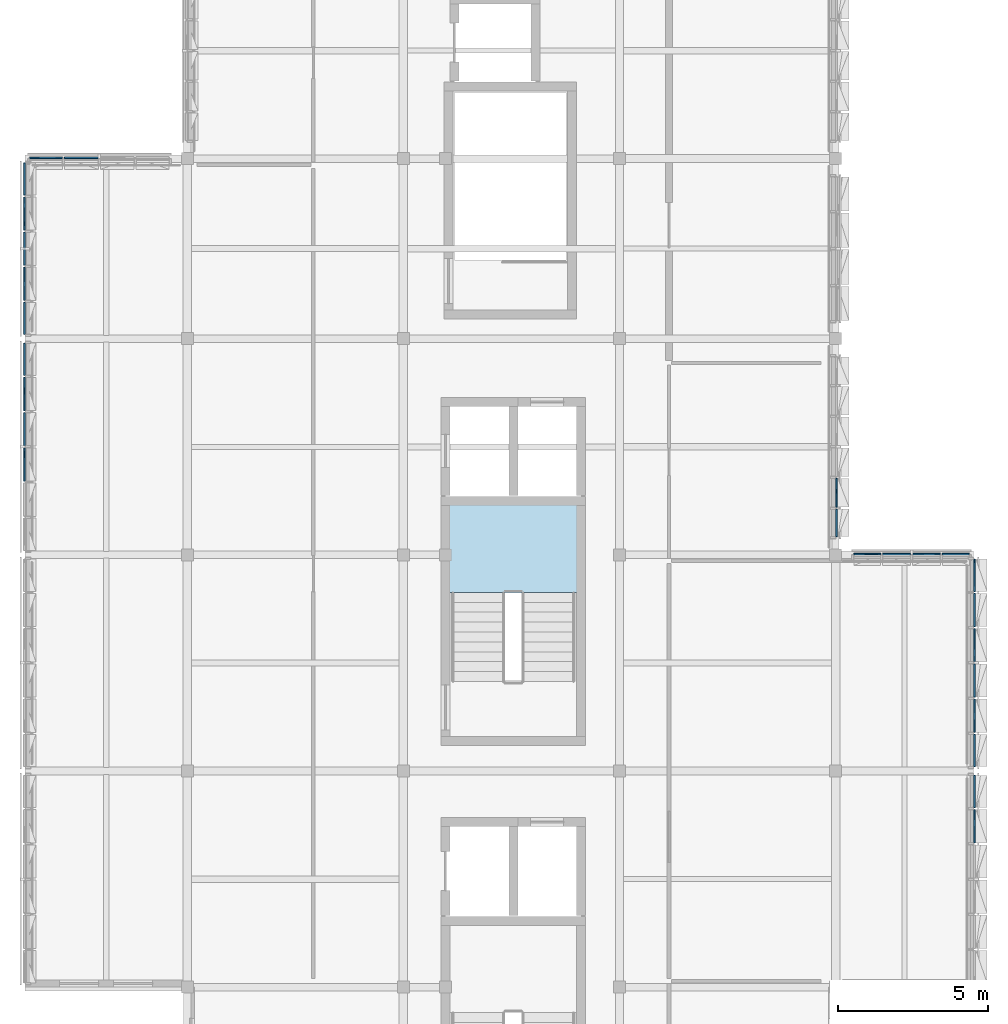
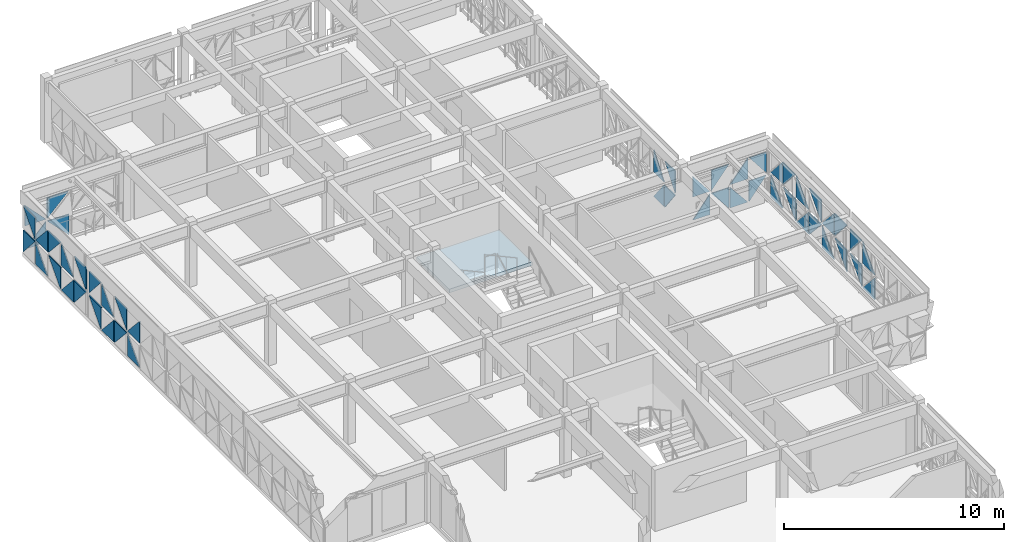
# One storey, part 13 of 25: 50 plates, 1 slab, 8 elements without a shape of their own.
"""IFC4 building model written with IfcOpenShell, lengths in metres."""

import ifcopenshell
import ifcopenshell.guid

model = None  # the IFC model being written
_history = None  # IfcOwnerHistory: only IFC2X3 demands one
_inside = {}  # id of a spatial element -> (the spatial element, [elements in it])
_under = {}  # id of a project, library or spatial element -> (it, [spatial elements below it])
_declared = {}  # id of a project -> (the project, [libraries it declares])
_typed = {}  # id of a type object -> (the type object, [elements of that type])
_made_of = {}  # id of a material, layer set ... -> (it, [elements and type objects made of it])


def new_model(schema):
    """Start an empty IFC model of exactly this schema.

    Asked for "IFC4X3", IfcOpenShell would pick the latest addendum, in which some entities
    have other attributes; the version numbers below select the first issue.
    IFC2X3 requires an IfcOwnerHistory on every rooted entity: one is made here for all.
    """
    global model, _history
    if schema == "IFC4X3":
        model = ifcopenshell.file(schema_version=(4, 3, 0, 0))
    else:
        model = ifcopenshell.file(schema=schema)
    _inside.clear()
    _under.clear()
    _declared.clear()
    _typed.clear()
    _made_of.clear()
    _history = None
    if model.schema == "IFC2X3":
        org = make("IfcOrganization", Name="unknown")
        user = make(
            "IfcPersonAndOrganization",
            ThePerson=make("IfcPerson", FamilyName="unknown"),
            TheOrganization=org,
        )
        app = make(
            "IfcApplication",
            ApplicationDeveloper=org,
            Version="unknown",
            ApplicationFullName="unknown",
            ApplicationIdentifier="unknown",
        )
        _history = make(
            "IfcOwnerHistory",
            OwningUser=user,
            OwningApplication=app,
            ChangeAction="ADDED",
            CreationDate=0,
        )
    return model


def make(cls, **values):
    """One entity of the class cls with the attributes given. An attribute that is None is left unset."""
    return model.create_entity(
        cls, **{name: value for name, value in values.items() if value is not None}
    )


def rooted(cls, **values):
    """An entity with a GlobalId (a new one), such as an element, a storey or a relation."""
    return make(cls, GlobalId=ifcopenshell.guid.new(), OwnerHistory=_history, **values)


def si_unit(unit_type, name, prefix=None):
    """IfcSIUnit, for example si_unit("LENGTHUNIT", "METRE", prefix="MILLI")."""
    return make("IfcSIUnit", UnitType=unit_type, Prefix=prefix, Name=name)


def assignment(units):
    """IfcUnitAssignment: the units of a project."""
    return None if units is None else make("IfcUnitAssignment", Units=units)


def point(xyz):
    """IfcCartesianPoint."""
    return None if xyz is None else make("IfcCartesianPoint", Coordinates=xyz)


def direction(xyz):
    """IfcDirection."""
    return None if xyz is None else make("IfcDirection", DirectionRatios=xyz)


def frame(location, z_axis=None, x_axis=None):
    """IfcAxis2Placement3D, a coordinate frame: its origin and axes. An axis left out is left unset."""
    return make(
        "IfcAxis2Placement3D",
        Location=point(location),
        Axis=direction(z_axis),
        RefDirection=direction(x_axis),
    )


def origin():
    """The frame at (0, 0, 0) with its axes left unset."""
    return frame((0.0, 0.0, 0.0))


def place(relative_to, where):
    """IfcLocalPlacement: puts the frame where relative to a parent placement (None: the world)."""
    return make(
        "IfcLocalPlacement", PlacementRelTo=relative_to, RelativePlacement=where
    )


def context(
    kind, dimensions, precision=None, world=None, true_north=None, identifier=None
):
    """IfcGeometricRepresentationContext, for example the 3D "Model" context."""
    return make(
        "IfcGeometricRepresentationContext",
        ContextIdentifier=identifier,
        ContextType=kind,
        CoordinateSpaceDimension=dimensions,
        Precision=precision,
        WorldCoordinateSystem=world,
        TrueNorth=true_north,
    )


def subcontext(parent, identifier, kind, view, scale=None):
    """IfcGeometricRepresentationSubContext, for example "Body" below "Model"."""
    return make(
        "IfcGeometricRepresentationSubContext",
        ContextIdentifier=identifier,
        ContextType=kind,
        ParentContext=parent,
        TargetScale=scale,
        TargetView=view,
    )


def project(units=None, contexts=None):
    """IfcProject with its units and contexts."""
    return rooted(
        "IfcProject",
        Name="project",
        RepresentationContexts=contexts,
        UnitsInContext=assignment(units),
    )


def spatial(cls, under=None, at=None, **own):
    """A site, building, storey or space (cls), placed at a placement, below another one or the project."""
    s = rooted(cls, ObjectPlacement=at, **own)
    if under is not None:
        _under.setdefault(under.id(), (under, []))[1].append(s)
    return s


def polyline(points):
    """IfcPolyline through the points."""
    return make("IfcPolyline", Points=[point(p) for p in points])


def outline(outer, holes=None, kind="AREA"):
    """IfcArbitraryClosedProfileDef: a profile drawn as a closed curve; with holes, ...WithVoids."""
    if holes is None:
        return make("IfcArbitraryClosedProfileDef", ProfileType=kind, OuterCurve=outer)
    return make(
        "IfcArbitraryProfileDefWithVoids",
        ProfileType=kind,
        OuterCurve=outer,
        InnerCurves=holes,
    )


def extrude(swept, where, along, depth):
    """IfcExtrudedAreaSolid: the profile swept, set in the frame where, extruded along a direction by depth."""
    return make(
        "IfcExtrudedAreaSolid",
        SweptArea=swept,
        Position=where,
        ExtrudedDirection=direction(along),
        Depth=depth,
    )


def shape(context_of_items, identifier, shape_type, items):
    """IfcShapeRepresentation: the items that make up one representation, for example the "Body"."""
    return make(
        "IfcShapeRepresentation",
        ContextOfItems=context_of_items,
        RepresentationIdentifier=identifier,
        RepresentationType=shape_type,
        Items=items,
    )


def material(Name=None, Category=None):
    """IfcMaterial."""
    return make("IfcMaterial", Name=Name, Category=Category)


def layer(
    of_material, thickness, ventilated=None, Name=None, Category=None, Priority=None
):
    """IfcMaterialLayer: one layer of a wall or slab, of a material (None: an air gap)."""
    return make(
        "IfcMaterialLayer",
        Material=of_material,
        LayerThickness=thickness,
        IsVentilated=ventilated,
        Name=Name,
        Category=Category,
        Priority=Priority,
    )


def layer_set(layers, Name=None):
    """IfcMaterialLayerSet."""
    return make("IfcMaterialLayerSet", MaterialLayers=layers, LayerSetName=Name)


def made_of(thing, what):
    """Note that an element or type object is made of a material, layer set ...; save() writes the relation."""
    if what is not None:
        _made_of.setdefault(what.id(), (what, []))[1].append(thing)
    return thing


def type_object(cls, material=None, **own):
    """A type object (cls), such as IfcWallType, which elements share."""
    return made_of(rooted(cls, **own), material)


def element(
    cls,
    number,
    at=None,
    inside=None,
    cuts=None,
    type_object=None,
    material=None,
    context=None,
    identifier="Body",
    shape_type=None,
    held_by="IfcProductDefinitionShape",
    body=None,
    shapes=None,
    **own,
):
    """One element of the class cls, such as IfcWall. Its Tag is "e" and its number.

    at: its placement. inside: the storey or other place that contains it. cuts: it is an
    opening in that element (IfcRelVoidsElement). A single representation is given by context,
    identifier, shape_type and body (its items); several are given by shapes. held_by: the class
    of the entity that holds the representations. save() writes the other relations.
    """
    e = rooted(cls, Tag="e%d" % number, ObjectPlacement=at, **own)
    if body is not None:
        shapes = [shape(context, identifier, shape_type, body)]
    if shapes is not None:
        e.Representation = make(held_by, Representations=shapes)
    if inside is not None:
        _inside.setdefault(inside.id(), (inside, []))[1].append(e)
    if cuts is not None:
        rooted(
            "IfcRelVoidsElement", RelatingBuildingElement=cuts, RelatedOpeningElement=e
        )
    if type_object is not None:
        _typed.setdefault(type_object.id(), (type_object, []))[1].append(e)
    return made_of(e, material)


def aggregate(whole, parts):
    """IfcRelAggregates: a whole, such as a stair, and the parts it consists of."""
    return rooted("IfcRelAggregates", RelatingObject=whole, RelatedObjects=parts)


def save(model, path):
    """Write the relations noted so far, then the file.

    IfcRelAggregates (storeys below a building ...), IfcRelContainedInSpatialStructure (elements
    in a storey), IfcRelDefinesByType, IfcRelAssociatesMaterial and IfcRelDeclares: one each for
    every whole, place, type object, material and project.
    """
    for whole, parts in _under.values():
        aggregate(whole, parts)
    for where, things in _inside.values():
        rooted(
            "IfcRelContainedInSpatialStructure",
            RelatedElements=things,
            RelatingStructure=where,
        )
    for kind, things in _typed.values():
        rooted("IfcRelDefinesByType", RelatedObjects=things, RelatingType=kind)
    for what, things in _made_of.values():
        rooted("IfcRelAssociatesMaterial", RelatedObjects=things, RelatingMaterial=what)
    for by, libraries in _declared.values():
        rooted("IfcRelDeclares", RelatingContext=by, RelatedDefinitions=libraries)
    model.write(path)


model = new_model("IFC4")

# Units and contexts
model_context = context("Model", 3, precision=1e-05, world=origin(), true_north=direction((0.0, 1.0)))
body_context = subcontext(model_context, "Body", "Model", "MODEL_VIEW")
ifc_project = project(units=[si_unit("LENGTHUNIT", "METRE"), si_unit("AREAUNIT", "SQUARE_METRE"), si_unit("VOLUMEUNIT", "CUBIC_METRE"), si_unit("PLANEANGLEUNIT", "RADIAN"), si_unit("MASSUNIT", "GRAM", prefix="KILO")], contexts=[model_context])

# Site, building, storey
site_placement = place(None, origin())
site = spatial("IfcSite", under=ifc_project, at=site_placement, CompositionType="ELEMENT")
building_placement = place(site_placement, origin())
building = spatial("IfcBuilding", under=site, at=building_placement, Name="Alvorim Cloister Faculty of Sciences", CompositionType="ELEMENT")
storey_placement = place(building_placement, frame((0.0, 0.0, 29.699951171875)))
storey = spatial("IfcBuildingStorey", under=building, at=storey_placement, Name="L08", CompositionType="ELEMENT", Elevation=29.699951171875)

# Curtain wall, plates
ifc_material_1 = material(Name="Aluminium and Low-E Glass Curtain Wall", Category="aluminium")
curtain_wall_type_1 = type_object("IfcCurtainWallType", Name="CW-TRI-7040x2867", PredefinedType="USERDEFINED", material=ifc_material_1)
curtain_wall_1_placement = place(storey_placement, origin())
curtain_wall_1 = element("IfcCurtainWall", 1, at=curtain_wall_1_placement, inside=storey, type_object=curtain_wall_type_1, Name="L08 Diagonal Cassette Curtain Wall CW-0283", ObjectType="UNITISED CURTAIN WALL", PredefinedType="USERDEFINED")
ifc_material_2 = material(Name="Double Low-E Laminated Glass", Category="glass")
ifc_layer_1 = layer(ifc_material_2, 0.0400390625)
ifc_layer_set_1 = layer_set([ifc_layer_1], Name="Double Low-E Laminated Glass")
plate_type = type_object("IfcPlateType", Name="PN-GLZ-40", PredefinedType="CURTAIN_PANEL", material=ifc_layer_set_1)
plate_1_placement = place(storey_placement, frame((1.77490234375, 38.459228515625, 0.14013671875), z_axis=(0.0, 0.0, 1.0), x_axis=(0.0, 1.0, 0.0)))
plate_1 = element("IfcPlate", 2, at=plate_1_placement, type_object=plate_type, Name="Diagonal Glazed Triangle TRI-BR", PredefinedType="CURTAIN_PANEL", context=body_context, shape_type="SweptSolid", body=[
    extrude(outline(polyline([(0.001953125, 0.0), (1.1083984375, 0.0), (1.1083984375, 1.221435546875), (0.001953125, 0.0)])), frame((0.0, 0.02490234375, 0.0), z_axis=(0.0, -1.0, 0.0), x_axis=(1.0, 0.0, 0.0)), (0.0, 0.0, 1.0), 0.050048828125),
])
plate_2_placement = place(storey_placement, frame((1.77490234375, 38.459228515625, 1.503662109375), z_axis=(0.0, 0.0, 1.0), x_axis=(0.0, 1.0, 0.0)))
plate_2 = element("IfcPlate", 3, at=plate_2_placement, type_object=plate_type, Name="Diagonal Glazed Triangle TRI-BL", PredefinedType="CURTAIN_PANEL", context=body_context, shape_type="SweptSolid", body=[
    extrude(outline(polyline([(0.0, 0.0), (1.1064453125, 0.0), (0.0, 1.221435546875), (0.0, 0.0)])), frame((0.0, 0.02490234375, 0.0), z_axis=(0.0, -1.0, 0.0), x_axis=(1.0, 0.0, 0.0)), (0.0, 0.0, 1.0), 0.050048828125),
])
plate_3_placement = place(storey_placement, frame((1.77490234375, 39.632568359375, 0.14013671875), z_axis=(0.0, 0.0, 1.0), x_axis=(0.0, 1.0, 0.0)))
plate_3 = element("IfcPlate", 4, at=plate_3_placement, type_object=plate_type, Name="Diagonal Glazed Triangle TRI-TR", PredefinedType="CURTAIN_PANEL", context=body_context, shape_type="SweptSolid", body=[
    extrude(outline(polyline([(1.1083984375, 0.001953125), (1.1083984375, 1.223388671875), (0.001953125, 1.223388671875), (1.1083984375, 0.001953125)])), frame((0.0, 0.02490234375, 0.0), z_axis=(0.0, -1.0, 0.0), x_axis=(1.0, 0.0, 0.0)), (0.0, 0.0, 1.0), 0.050048828125),
])
plate_4_placement = place(storey_placement, frame((1.77490234375, 39.632568359375, 1.503662109375), z_axis=(0.0, 0.0, 1.0), x_axis=(0.0, 1.0, 0.0)))
plate_4 = element("IfcPlate", 5, at=plate_4_placement, type_object=plate_type, Name="Diagonal Glazed Triangle TRI-TL", PredefinedType="CURTAIN_PANEL", context=body_context, shape_type="SweptSolid", body=[
    extrude(outline(polyline([(1.1064453125, 1.223388671875), (0.0, 1.223388671875), (0.0, 0.001953125), (1.1064453125, 1.223388671875)])), frame((0.0, 0.02490234375, 0.0), z_axis=(0.0, -1.0, 0.0), x_axis=(1.0, 0.0, 0.0)), (0.0, 0.0, 1.0), 0.050048828125),
])
plate_5_placement = place(storey_placement, frame((1.77490234375, 40.805908203125, 0.14013671875), z_axis=(0.0, 0.0, 1.0), x_axis=(0.0, 1.0, 0.0)))
plate_5 = element("IfcPlate", 6, at=plate_5_placement, type_object=plate_type, Name="Diagonal Glazed Triangle TRI-BL", PredefinedType="CURTAIN_PANEL", context=body_context, shape_type="SweptSolid", body=[
    extrude(outline(polyline([(0.0, 0.0), (1.1064453125, 0.0), (0.0, 1.221435546875), (0.0, 0.0)])), frame((0.0, 0.02490234375, 0.0), z_axis=(0.0, -1.0, 0.0), x_axis=(1.0, 0.0, 0.0)), (0.0, 0.0, 1.0), 0.050048828125),
])
plate_6_placement = place(storey_placement, frame((1.77490234375, 40.805908203125, 1.503662109375), z_axis=(0.0, 0.0, 1.0), x_axis=(0.0, 1.0, 0.0)))
plate_6 = element("IfcPlate", 7, at=plate_6_placement, type_object=plate_type, Name="Diagonal Glazed Triangle TRI-BR", PredefinedType="CURTAIN_PANEL", context=body_context, shape_type="SweptSolid", body=[
    extrude(outline(polyline([(0.001953125, 0.0), (1.1083984375, 0.0), (1.1083984375, 1.221435546875), (0.001953125, 0.0)])), frame((0.0, 0.02490234375, 0.0), z_axis=(0.0, -1.0, 0.0), x_axis=(1.0, 0.0, 0.0)), (0.0, 0.0, 1.0), 0.050048828125),
])
plate_7_placement = place(storey_placement, frame((1.77490234375, 41.979248046875, 0.14013671875), z_axis=(0.0, 0.0, 1.0), x_axis=(0.0, 1.0, 0.0)))
plate_7 = element("IfcPlate", 8, at=plate_7_placement, type_object=plate_type, Name="Diagonal Glazed Triangle TRI-TL", PredefinedType="CURTAIN_PANEL", context=body_context, shape_type="SweptSolid", body=[
    extrude(outline(polyline([(1.073974609375, 1.223388671875), (0.0, 1.223388671875), (0.0, 0.001953125), (1.073974609375, 1.223388671875)])), frame((0.0, 0.02490234375, 0.0), z_axis=(0.0, -1.0, 0.0), x_axis=(1.0, 0.0, 0.0)), (0.0, 0.0, 1.0), 0.050048828125),
])
plate_8_placement = place(storey_placement, frame((1.77490234375, 41.979248046875, 1.503662109375), z_axis=(0.0, 0.0, 1.0), x_axis=(0.0, 1.0, 0.0)))
plate_8 = element("IfcPlate", 9, at=plate_8_placement, type_object=plate_type, Name="Diagonal Glazed Triangle TRI-TR", PredefinedType="CURTAIN_PANEL", context=body_context, shape_type="SweptSolid", body=[
    extrude(outline(polyline([(1.075927734375, 0.001953125), (1.075927734375, 1.223388671875), (0.001953125, 1.223388671875), (1.075927734375, 0.001953125)])), frame((0.0, 0.02490234375, 0.0), z_axis=(0.0, -1.0, 0.0), x_axis=(1.0, 0.0, 0.0)), (0.0, 0.0, 1.0), 0.050048828125),
])
aggregate(curtain_wall_1, [plate_1, plate_2, plate_3, plate_4, plate_5, plate_6, plate_7, plate_8])

curtain_wall_type_2 = type_object("IfcCurtainWallType", Name="CW-TRI-5840x2867", PredefinedType="USERDEFINED", material=ifc_material_1)
curtain_wall_2_placement = place(storey_placement, origin())
curtain_wall_2 = element("IfcCurtainWall", 10, at=curtain_wall_2_placement, inside=storey, type_object=curtain_wall_type_2, Name="L08 Diagonal Cassette Curtain Wall CW-0284", ObjectType="UNITISED CURTAIN WALL", PredefinedType="USERDEFINED")
plate_9_placement = place(storey_placement, frame((1.77490234375, 43.344970703125, 0.14013671875), z_axis=(0.0, 0.0, 1.0), x_axis=(0.0, 1.0, 0.0)))
plate_9 = element("IfcPlate", 11, at=plate_9_placement, type_object=plate_type, Name="Diagonal Glazed Triangle TRI-TR", PredefinedType="CURTAIN_PANEL", context=body_context, shape_type="SweptSolid", body=[
    extrude(outline(polyline([(1.070556640625, 0.001953125), (1.070556640625, 1.223388671875), (0.001953125, 1.223388671875), (1.070556640625, 0.001953125)])), frame((0.0, 0.02490234375, 0.0), z_axis=(0.0, -1.0, 0.0), x_axis=(1.0, 0.0, 0.0)), (0.0, 0.0, 1.0), 0.050048828125),
])
plate_10_placement = place(storey_placement, frame((1.77490234375, 43.344970703125, 1.503662109375), z_axis=(0.0, 0.0, 1.0), x_axis=(0.0, 1.0, 0.0)))
plate_10 = element("IfcPlate", 12, at=plate_10_placement, type_object=plate_type, Name="Diagonal Glazed Triangle TRI-TL", PredefinedType="CURTAIN_PANEL", context=body_context, shape_type="SweptSolid", body=[
    extrude(outline(polyline([(1.068603515625, 1.223388671875), (0.0, 1.223388671875), (0.0, 0.001953125), (1.068603515625, 1.223388671875)])), frame((0.0, 0.02490234375, 0.0), z_axis=(0.0, -1.0, 0.0), x_axis=(1.0, 0.0, 0.0)), (0.0, 0.0, 1.0), 0.050048828125),
])
plate_11_placement = place(storey_placement, frame((1.77490234375, 44.48046875, 0.14013671875), z_axis=(0.0, 0.0, 1.0), x_axis=(0.0, 1.0, 0.0)))
plate_11 = element("IfcPlate", 13, at=plate_11_placement, type_object=plate_type, Name="Diagonal Glazed Triangle TRI-BL", PredefinedType="CURTAIN_PANEL", context=body_context, shape_type="SweptSolid", body=[
    extrude(outline(polyline([(0.0, 0.0), (1.10107421875, 0.0), (0.0, 1.221435546875), (0.0, 0.0)])), frame((0.0, 0.02490234375, 0.0), z_axis=(0.0, -1.0, 0.0), x_axis=(1.0, 0.0, 0.0)), (0.0, 0.0, 1.0), 0.050048828125),
])
plate_12_placement = place(storey_placement, frame((1.77490234375, 44.48046875, 1.503662109375), z_axis=(0.0, 0.0, 1.0), x_axis=(0.0, 1.0, 0.0)))
plate_12 = element("IfcPlate", 14, at=plate_12_placement, type_object=plate_type, Name="Diagonal Glazed Triangle TRI-BR", PredefinedType="CURTAIN_PANEL", context=body_context, shape_type="SweptSolid", body=[
    extrude(outline(polyline([(0.001953125, 0.0), (1.10302734375, 0.0), (1.10302734375, 1.221435546875), (0.001953125, 0.0)])), frame((0.0, 0.02490234375, 0.0), z_axis=(0.0, -1.0, 0.0), x_axis=(1.0, 0.0, 0.0)), (0.0, 0.0, 1.0), 0.050048828125),
])
plate_13_placement = place(storey_placement, frame((1.77490234375, 45.6484375, 0.14013671875), z_axis=(0.0, 0.0, 1.0), x_axis=(0.0, 1.0, 0.0)))
plate_13 = element("IfcPlate", 15, at=plate_13_placement, type_object=plate_type, Name="Diagonal Glazed Triangle TRI-TL", PredefinedType="CURTAIN_PANEL", context=body_context, shape_type="SweptSolid", body=[
    extrude(outline(polyline([(1.10107421875, 1.223388671875), (0.0, 1.223388671875), (0.0, 0.001953125), (1.10107421875, 1.223388671875)])), frame((0.0, 0.02490234375, 0.0), z_axis=(0.0, -1.0, 0.0), x_axis=(1.0, 0.0, 0.0)), (0.0, 0.0, 1.0), 0.050048828125),
])
plate_14_placement = place(storey_placement, frame((1.77490234375, 45.6484375, 1.503662109375), z_axis=(0.0, 0.0, 1.0), x_axis=(0.0, 1.0, 0.0)))
plate_14 = element("IfcPlate", 16, at=plate_14_placement, type_object=plate_type, Name="Diagonal Glazed Triangle TRI-TR", PredefinedType="CURTAIN_PANEL", context=body_context, shape_type="SweptSolid", body=[
    extrude(outline(polyline([(1.10302734375, 0.001953125), (1.10302734375, 1.223388671875), (0.001953125, 1.223388671875), (1.10302734375, 0.001953125)])), frame((0.0, 0.02490234375, 0.0), z_axis=(0.0, -1.0, 0.0), x_axis=(1.0, 0.0, 0.0)), (0.0, 0.0, 1.0), 0.050048828125),
])
plate_15_placement = place(storey_placement, frame((1.77490234375, 46.81640625, 0.14013671875), z_axis=(0.0, 0.0, 1.0), x_axis=(0.0, 1.0, 0.0)))
plate_15 = element("IfcPlate", 17, at=plate_15_placement, type_object=plate_type, Name="Diagonal Glazed Triangle TRI-BR", PredefinedType="CURTAIN_PANEL", context=body_context, shape_type="SweptSolid", body=[
    extrude(outline(polyline([(0.001953125, 0.0), (1.10302734375, 0.0), (1.10302734375, 1.221435546875), (0.001953125, 0.0)])), frame((0.0, 0.02490234375, 0.0), z_axis=(0.0, -1.0, 0.0), x_axis=(1.0, 0.0, 0.0)), (0.0, 0.0, 1.0), 0.050048828125),
])
plate_16_placement = place(storey_placement, frame((1.77490234375, 46.81640625, 1.503662109375), z_axis=(0.0, 0.0, 1.0), x_axis=(0.0, 1.0, 0.0)))
plate_16 = element("IfcPlate", 18, at=plate_16_placement, type_object=plate_type, Name="Diagonal Glazed Triangle TRI-BL", PredefinedType="CURTAIN_PANEL", context=body_context, shape_type="SweptSolid", body=[
    extrude(outline(polyline([(0.0, 0.0), (1.10107421875, 0.0), (0.0, 1.221435546875), (0.0, 0.0)])), frame((0.0, 0.02490234375, 0.0), z_axis=(0.0, -1.0, 0.0), x_axis=(1.0, 0.0, 0.0)), (0.0, 0.0, 1.0), 0.050048828125),
])
plate_17_placement = place(storey_placement, frame((1.77490234375, 47.984619140625, 0.14013671875), z_axis=(0.0, 0.0, 1.0), x_axis=(0.0, 1.0, 0.0)))
plate_17 = element("IfcPlate", 19, at=plate_17_placement, type_object=plate_type, Name="Diagonal Glazed Triangle TRI-TR", PredefinedType="CURTAIN_PANEL", context=body_context, shape_type="SweptSolid", body=[
    extrude(outline(polyline([(1.070556640625, 0.001953125), (1.070556640625, 1.223388671875), (0.001953125, 1.223388671875), (1.070556640625, 0.001953125)])), frame((0.0, 0.02490234375, 0.0), z_axis=(0.0, -1.0, 0.0), x_axis=(1.0, 0.0, 0.0)), (0.0, 0.0, 1.0), 0.050048828125),
])
plate_18_placement = place(storey_placement, frame((1.77490234375, 47.984619140625, 1.503662109375), z_axis=(0.0, 0.0, 1.0), x_axis=(0.0, 1.0, 0.0)))
plate_18 = element("IfcPlate", 20, at=plate_18_placement, type_object=plate_type, Name="Diagonal Glazed Triangle TRI-TL", PredefinedType="CURTAIN_PANEL", context=body_context, shape_type="SweptSolid", body=[
    extrude(outline(polyline([(1.068603515625, 1.223388671875), (0.0, 1.223388671875), (0.0, 0.001953125), (1.068603515625, 1.223388671875)])), frame((0.0, 0.02490234375, 0.0), z_axis=(0.0, -1.0, 0.0), x_axis=(1.0, 0.0, 0.0)), (0.0, 0.0, 1.0), 0.050048828125),
])
aggregate(curtain_wall_2, [plate_9, plate_10, plate_11, plate_12, plate_13, plate_14, plate_15, plate_16, plate_17, plate_18])

curtain_wall_type_3 = type_object("IfcCurtainWallType", Name="CW-TRI-4780x2716", PredefinedType="USERDEFINED", material=ifc_material_1)
curtain_wall_3_placement = place(storey_placement, origin())
curtain_wall_3 = element("IfcCurtainWall", 21, at=curtain_wall_3_placement, inside=storey, type_object=curtain_wall_type_3, Name="L08 Diagonal Cassette Curtain Wall CW-0285", ObjectType="UNITISED CURTAIN WALL", PredefinedType="USERDEFINED")
plate_19_placement = place(storey_placement, frame((1.945068359375, 49.22509765625, 0.14013671875), z_axis=(0.0, 0.0, 1.0), x_axis=(1.0, 0.0, 0.0)))
plate_19 = element("IfcPlate", 22, at=plate_19_placement, type_object=plate_type, Name="Diagonal Glazed Triangle TRI-BR", PredefinedType="CURTAIN_PANEL", context=body_context, shape_type="SweptSolid", body=[
    extrude(outline(polyline([(0.001953125, 0.0), (1.097412109375, 0.0), (1.097412109375, 1.14599609375), (0.001953125, 0.0)])), frame((0.0, 0.02490234375, 0.0), z_axis=(0.0, -1.0, 0.0), x_axis=(1.0, 0.0, 0.0)), (0.0, 0.0, 1.0), 0.050048828125),
])
plate_20_placement = place(storey_placement, frame((1.945068359375, 49.22509765625, 1.427978515625), z_axis=(0.0, 0.0, 1.0), x_axis=(1.0, 0.0, 0.0)))
plate_20 = element("IfcPlate", 23, at=plate_20_placement, type_object=plate_type, Name="Diagonal Glazed Triangle TRI-BL", PredefinedType="CURTAIN_PANEL", context=body_context, shape_type="SweptSolid", body=[
    extrude(outline(polyline([(0.0, 0.0), (1.095458984375, 0.0), (0.0, 1.14599609375), (0.0, 0.0)])), frame((0.0, 0.02490234375, 0.0), z_axis=(0.0, -1.0, 0.0), x_axis=(1.0, 0.0, 0.0)), (0.0, 0.0, 1.0), 0.050048828125),
])
plate_21_placement = place(storey_placement, frame((3.107421875, 49.22509765625, 0.14013671875), z_axis=(0.0, 0.0, 1.0), x_axis=(1.0, 0.0, 0.0)))
plate_21 = element("IfcPlate", 24, at=plate_21_placement, type_object=plate_type, Name="Diagonal Glazed Triangle TRI-TR", PredefinedType="CURTAIN_PANEL", context=body_context, shape_type="SweptSolid", body=[
    extrude(outline(polyline([(1.1298828125, 0.001953125), (1.1298828125, 1.14794921875), (0.001953125, 1.14794921875), (1.1298828125, 0.001953125)])), frame((0.0, 0.02490234375, 0.0), z_axis=(0.0, -1.0, 0.0), x_axis=(1.0, 0.0, 0.0)), (0.0, 0.0, 1.0), 0.050048828125),
])
plate_22_placement = place(storey_placement, frame((3.107421875, 49.22509765625, 1.427978515625), z_axis=(0.0, 0.0, 1.0), x_axis=(1.0, 0.0, 0.0)))
plate_22 = element("IfcPlate", 25, at=plate_22_placement, type_object=plate_type, Name="Diagonal Glazed Triangle TRI-TL", PredefinedType="CURTAIN_PANEL", context=body_context, shape_type="SweptSolid", body=[
    extrude(outline(polyline([(1.1279296875, 1.14794921875), (0.0, 1.14794921875), (0.0, 0.001953125), (1.1279296875, 1.14794921875)])), frame((0.0, 0.02490234375, 0.0), z_axis=(0.0, -1.0, 0.0), x_axis=(1.0, 0.0, 0.0)), (0.0, 0.0, 1.0), 0.050048828125),
])
aggregate(curtain_wall_3, [plate_19, plate_20, plate_21, plate_22])

curtain_wall_type_4 = type_object("IfcCurtainWallType", Name="CW-TRI-6120x2860", PredefinedType="USERDEFINED", material=ifc_material_1)
curtain_wall_4_placement = place(storey_placement, origin())
curtain_wall_4 = element("IfcCurtainWall", 26, at=curtain_wall_4_placement, inside=storey, type_object=curtain_wall_type_4, Name="L08 Diagonal Cassette Curtain Wall CW-0292", ObjectType="UNITISED CURTAIN WALL", PredefinedType="USERDEFINED")
plate_23_placement = place(storey_placement, frame((28.824951171875, 36.60498046875, 0.14013671875), z_axis=(0.0, 0.0, 1.0), x_axis=(0.0, 1.0, 0.0)))
plate_23 = element("IfcPlate", 27, at=plate_23_placement, type_object=plate_type, Name="Diagonal Glazed Triangle TRI-TR", PredefinedType="CURTAIN_PANEL", context=body_context, shape_type="SweptSolid", body=[
    extrude(outline(polyline([(0.922607421875, 0.001953125), (0.922607421875, 1.219970703125), (0.001953125, 1.219970703125), (0.922607421875, 0.001953125)])), frame((0.0, 0.02490234375, 0.0), z_axis=(0.0, -1.0, 0.0), x_axis=(1.0, 0.0, 0.0)), (0.0, 0.0, 1.0), 0.050048828125),
])
plate_24_placement = place(storey_placement, frame((28.824951171875, 36.60498046875, 1.5), z_axis=(0.0, 0.0, 1.0), x_axis=(0.0, 1.0, 0.0)))
plate_24 = element("IfcPlate", 28, at=plate_24_placement, type_object=plate_type, Name="Diagonal Glazed Triangle TRI-TL", PredefinedType="CURTAIN_PANEL", context=body_context, shape_type="SweptSolid", body=[
    extrude(outline(polyline([(0.920654296875, 1.219970703125), (0.0, 1.219970703125), (0.0, 0.001953125), (0.920654296875, 1.219970703125)])), frame((0.0, 0.02490234375, 0.0), z_axis=(0.0, -1.0, 0.0), x_axis=(1.0, 0.0, 0.0)), (0.0, 0.0, 1.0), 0.050048828125),
])
plate_25_placement = place(storey_placement, frame((28.824951171875, 37.592529296875, 0.14013671875), z_axis=(0.0, 0.0, 1.0), x_axis=(0.0, 1.0, 0.0)))
plate_25 = element("IfcPlate", 29, at=plate_25_placement, type_object=plate_type, Name="Diagonal Glazed Triangle TRI-BL", PredefinedType="CURTAIN_PANEL", context=body_context, shape_type="SweptSolid", body=[
    extrude(outline(polyline([(0.0, 0.0), (0.953125, 0.0), (0.0, 1.218017578125), (0.0, 0.0)])), frame((0.0, 0.02490234375, 0.0), z_axis=(0.0, -1.0, 0.0), x_axis=(1.0, 0.0, 0.0)), (0.0, 0.0, 1.0), 0.050048828125),
])
plate_26_placement = place(storey_placement, frame((28.824951171875, 37.592529296875, 1.5), z_axis=(0.0, 0.0, 1.0), x_axis=(0.0, 1.0, 0.0)))
plate_26 = element("IfcPlate", 30, at=plate_26_placement, type_object=plate_type, Name="Diagonal Glazed Triangle TRI-BR", PredefinedType="CURTAIN_PANEL", context=body_context, shape_type="SweptSolid", body=[
    extrude(outline(polyline([(0.001953125, 0.0), (0.955078125, 0.0), (0.955078125, 1.218017578125), (0.001953125, 0.0)])), frame((0.0, 0.02490234375, 0.0), z_axis=(0.0, -1.0, 0.0), x_axis=(1.0, 0.0, 0.0)), (0.0, 0.0, 1.0), 0.050048828125),
])
aggregate(curtain_wall_4, [plate_23, plate_24, plate_25, plate_26])

curtain_wall_type_5 = type_object("IfcCurtainWallType", Name="CW-TRI-3980x2716", PredefinedType="USERDEFINED", material=ifc_material_1)
curtain_wall_5_placement = place(storey_placement, origin())
curtain_wall_5 = element("IfcCurtainWall", 31, at=curtain_wall_5_placement, inside=storey, type_object=curtain_wall_type_5, Name="L08 Diagonal Cassette Curtain Wall CW-0293", ObjectType="UNITISED CURTAIN WALL", PredefinedType="USERDEFINED")
plate_27_placement = place(storey_placement, frame((29.405029296875, 36.02490234375, 0.14013671875), z_axis=(0.0, 0.0, 1.0), x_axis=(1.0, 0.0, 0.0)))
plate_27 = element("IfcPlate", 32, at=plate_27_placement, type_object=plate_type, Name="Diagonal Glazed Triangle TRI-BR", PredefinedType="CURTAIN_PANEL", context=body_context, shape_type="SweptSolid", body=[
    extrude(outline(polyline([(0.001953125, 0.0), (0.8974609375, 0.0), (0.8974609375, 1.14599609375), (0.001953125, 0.0)])), frame((0.0, 0.02490234375, 0.0), z_axis=(0.0, -1.0, 0.0), x_axis=(1.0, 0.0, 0.0)), (0.0, 0.0, 1.0), 0.050048828125),
])
plate_28_placement = place(storey_placement, frame((29.405029296875, 36.02490234375, 1.427978515625), z_axis=(0.0, 0.0, 1.0), x_axis=(1.0, 0.0, 0.0)))
plate_28 = element("IfcPlate", 33, at=plate_28_placement, type_object=plate_type, Name="Diagonal Glazed Triangle TRI-BL", PredefinedType="CURTAIN_PANEL", context=body_context, shape_type="SweptSolid", body=[
    extrude(outline(polyline([(0.0, 0.0), (0.8955078125, 0.0), (0.0, 1.14599609375), (0.0, 0.0)])), frame((0.0, 0.02490234375, 0.0), z_axis=(0.0, -1.0, 0.0), x_axis=(1.0, 0.0, 0.0)), (0.0, 0.0, 1.0), 0.050048828125),
])
plate_29_placement = place(storey_placement, frame((30.367431640625, 36.02490234375, 0.14013671875), z_axis=(0.0, 0.0, 1.0), x_axis=(1.0, 0.0, 0.0)))
plate_29 = element("IfcPlate", 34, at=plate_29_placement, type_object=plate_type, Name="Diagonal Glazed Triangle TRI-TR", PredefinedType="CURTAIN_PANEL", context=body_context, shape_type="SweptSolid", body=[
    extrude(outline(polyline([(0.929931640625, 0.001953125), (0.929931640625, 1.14794921875), (0.001953125, 1.14794921875), (0.929931640625, 0.001953125)])), frame((0.0, 0.02490234375, 0.0), z_axis=(0.0, -1.0, 0.0), x_axis=(1.0, 0.0, 0.0)), (0.0, 0.0, 1.0), 0.050048828125),
])
plate_30_placement = place(storey_placement, frame((30.367431640625, 36.02490234375, 1.427978515625), z_axis=(0.0, 0.0, 1.0), x_axis=(1.0, 0.0, 0.0)))
plate_30 = element("IfcPlate", 35, at=plate_30_placement, type_object=plate_type, Name="Diagonal Glazed Triangle TRI-TL", PredefinedType="CURTAIN_PANEL", context=body_context, shape_type="SweptSolid", body=[
    extrude(outline(polyline([(0.927978515625, 1.14794921875), (0.0, 1.14794921875), (0.0, 0.001953125), (0.927978515625, 1.14794921875)])), frame((0.0, 0.02490234375, 0.0), z_axis=(0.0, -1.0, 0.0), x_axis=(1.0, 0.0, 0.0)), (0.0, 0.0, 1.0), 0.050048828125),
])
plate_31_placement = place(storey_placement, frame((31.362548828125, 36.02490234375, 0.14013671875), z_axis=(0.0, 0.0, 1.0), x_axis=(1.0, 0.0, 0.0)))
plate_31 = element("IfcPlate", 36, at=plate_31_placement, type_object=plate_type, Name="Diagonal Glazed Triangle TRI-BL", PredefinedType="CURTAIN_PANEL", context=body_context, shape_type="SweptSolid", body=[
    extrude(outline(polyline([(0.0, 0.0), (0.927978515625, 0.0), (0.0, 1.14599609375), (0.0, 0.0)])), frame((0.0, 0.02490234375, 0.0), z_axis=(0.0, -1.0, 0.0), x_axis=(1.0, 0.0, 0.0)), (0.0, 0.0, 1.0), 0.050048828125),
])
plate_32_placement = place(storey_placement, frame((31.362548828125, 36.02490234375, 1.427978515625), z_axis=(0.0, 0.0, 1.0), x_axis=(1.0, 0.0, 0.0)))
plate_32 = element("IfcPlate", 37, at=plate_32_placement, type_object=plate_type, Name="Diagonal Glazed Triangle TRI-BR", PredefinedType="CURTAIN_PANEL", context=body_context, shape_type="SweptSolid", body=[
    extrude(outline(polyline([(0.001953125, 0.0), (0.929931640625, 0.0), (0.929931640625, 1.14599609375), (0.001953125, 0.0)])), frame((0.0, 0.02490234375, 0.0), z_axis=(0.0, -1.0, 0.0), x_axis=(1.0, 0.0, 0.0)), (0.0, 0.0, 1.0), 0.050048828125),
])
plate_33_placement = place(storey_placement, frame((32.357421875, 36.02490234375, 0.14013671875), z_axis=(0.0, 0.0, 1.0), x_axis=(1.0, 0.0, 0.0)))
plate_33 = element("IfcPlate", 38, at=plate_33_placement, type_object=plate_type, Name="Diagonal Glazed Triangle TRI-TL", PredefinedType="CURTAIN_PANEL", context=body_context, shape_type="SweptSolid", body=[
    extrude(outline(polyline([(0.8955078125, 1.14794921875), (0.0, 1.14794921875), (0.0, 0.001953125), (0.8955078125, 1.14794921875)])), frame((0.0, 0.02490234375, 0.0), z_axis=(0.0, -1.0, 0.0), x_axis=(1.0, 0.0, 0.0)), (0.0, 0.0, 1.0), 0.050048828125),
])
plate_34_placement = place(storey_placement, frame((32.357421875, 36.02490234375, 1.427978515625), z_axis=(0.0, 0.0, 1.0), x_axis=(1.0, 0.0, 0.0)))
plate_34 = element("IfcPlate", 39, at=plate_34_placement, type_object=plate_type, Name="Diagonal Glazed Triangle TRI-TR", PredefinedType="CURTAIN_PANEL", context=body_context, shape_type="SweptSolid", body=[
    extrude(outline(polyline([(0.8974609375, 0.001953125), (0.8974609375, 1.14794921875), (0.001953125, 1.14794921875), (0.8974609375, 0.001953125)])), frame((0.0, 0.02490234375, 0.0), z_axis=(0.0, -1.0, 0.0), x_axis=(1.0, 0.0, 0.0)), (0.0, 0.0, 1.0), 0.050048828125),
])
aggregate(curtain_wall_5, [plate_27, plate_28, plate_29, plate_30, plate_31, plate_32, plate_33, plate_34])

curtain_wall_6_placement = place(storey_placement, origin())
curtain_wall_6 = element("IfcCurtainWall", 40, at=curtain_wall_6_placement, inside=storey, type_object=curtain_wall_type_1, Name="L08 Diagonal Cassette Curtain Wall CW-0294", ObjectType="UNITISED CURTAIN WALL", PredefinedType="USERDEFINED")
plate_35_placement = place(storey_placement, frame((33.425048828125, 28.945068359375, 0.14013671875), z_axis=(0.0, 0.0, 1.0), x_axis=(0.0, 1.0, 0.0)))
plate_35 = element("IfcPlate", 41, at=plate_35_placement, type_object=plate_type, Name="Diagonal Glazed Triangle TRI-TL", PredefinedType="CURTAIN_PANEL", context=body_context, shape_type="SweptSolid", body=[
    extrude(outline(polyline([(1.073974609375, 1.223388671875), (0.0, 1.223388671875), (0.0, 0.001953125), (1.073974609375, 1.223388671875)])), frame((0.0, 0.02490234375, 0.0), z_axis=(0.0, -1.0, 0.0), x_axis=(1.0, 0.0, 0.0)), (0.0, 0.0, 1.0), 0.050048828125),
])
plate_36_placement = place(storey_placement, frame((33.425048828125, 28.945068359375, 1.503662109375), z_axis=(0.0, 0.0, 1.0), x_axis=(0.0, 1.0, 0.0)))
plate_36 = element("IfcPlate", 42, at=plate_36_placement, type_object=plate_type, Name="Diagonal Glazed Triangle TRI-TR", PredefinedType="CURTAIN_PANEL", context=body_context, shape_type="SweptSolid", body=[
    extrude(outline(polyline([(1.075927734375, 0.001953125), (1.075927734375, 1.223388671875), (0.001953125, 1.223388671875), (1.075927734375, 0.001953125)])), frame((0.0, 0.02490234375, 0.0), z_axis=(0.0, -1.0, 0.0), x_axis=(1.0, 0.0, 0.0)), (0.0, 0.0, 1.0), 0.050048828125),
])
plate_37_placement = place(storey_placement, frame((33.425048828125, 30.0859375, 0.14013671875), z_axis=(0.0, 0.0, 1.0), x_axis=(0.0, 1.0, 0.0)))
plate_37 = element("IfcPlate", 43, at=plate_37_placement, type_object=plate_type, Name="Diagonal Glazed Triangle TRI-BR", PredefinedType="CURTAIN_PANEL", context=body_context, shape_type="SweptSolid", body=[
    extrude(outline(polyline([(0.001953125, 0.0), (1.1083984375, 0.0), (1.1083984375, 1.221435546875), (0.001953125, 0.0)])), frame((0.0, 0.02490234375, 0.0), z_axis=(0.0, -1.0, 0.0), x_axis=(1.0, 0.0, 0.0)), (0.0, 0.0, 1.0), 0.050048828125),
])
plate_38_placement = place(storey_placement, frame((33.425048828125, 30.0859375, 1.503662109375), z_axis=(0.0, 0.0, 1.0), x_axis=(0.0, 1.0, 0.0)))
plate_38 = element("IfcPlate", 44, at=plate_38_placement, type_object=plate_type, Name="Diagonal Glazed Triangle TRI-BL", PredefinedType="CURTAIN_PANEL", context=body_context, shape_type="SweptSolid", body=[
    extrude(outline(polyline([(0.0, 0.0), (1.1064453125, 0.0), (0.0, 1.221435546875), (0.0, 0.0)])), frame((0.0, 0.02490234375, 0.0), z_axis=(0.0, -1.0, 0.0), x_axis=(1.0, 0.0, 0.0)), (0.0, 0.0, 1.0), 0.050048828125),
])
plate_39_placement = place(storey_placement, frame((33.425048828125, 31.25927734375, 0.14013671875), z_axis=(0.0, 0.0, 1.0), x_axis=(0.0, 1.0, 0.0)))
plate_39 = element("IfcPlate", 45, at=plate_39_placement, type_object=plate_type, Name="Diagonal Glazed Triangle TRI-TR", PredefinedType="CURTAIN_PANEL", context=body_context, shape_type="SweptSolid", body=[
    extrude(outline(polyline([(1.1083984375, 0.001953125), (1.1083984375, 1.223388671875), (0.001953125, 1.223388671875), (1.1083984375, 0.001953125)])), frame((0.0, 0.02490234375, 0.0), z_axis=(0.0, -1.0, 0.0), x_axis=(1.0, 0.0, 0.0)), (0.0, 0.0, 1.0), 0.050048828125),
])
plate_40_placement = place(storey_placement, frame((33.425048828125, 31.25927734375, 1.503662109375), z_axis=(0.0, 0.0, 1.0), x_axis=(0.0, 1.0, 0.0)))
plate_40 = element("IfcPlate", 46, at=plate_40_placement, type_object=plate_type, Name="Diagonal Glazed Triangle TRI-TL", PredefinedType="CURTAIN_PANEL", context=body_context, shape_type="SweptSolid", body=[
    extrude(outline(polyline([(1.1064453125, 1.223388671875), (0.0, 1.223388671875), (0.0, 0.001953125), (1.1064453125, 1.223388671875)])), frame((0.0, 0.02490234375, 0.0), z_axis=(0.0, -1.0, 0.0), x_axis=(1.0, 0.0, 0.0)), (0.0, 0.0, 1.0), 0.050048828125),
])
plate_41_placement = place(storey_placement, frame((33.425048828125, 32.4326171875, 0.14013671875), z_axis=(0.0, 0.0, 1.0), x_axis=(0.0, 1.0, 0.0)))
plate_41 = element("IfcPlate", 47, at=plate_41_placement, type_object=plate_type, Name="Diagonal Glazed Triangle TRI-BL", PredefinedType="CURTAIN_PANEL", context=body_context, shape_type="SweptSolid", body=[
    extrude(outline(polyline([(0.0, 0.0), (1.1064453125, 0.0), (0.0, 1.221435546875), (0.0, 0.0)])), frame((0.0, 0.02490234375, 0.0), z_axis=(0.0, -1.0, 0.0), x_axis=(1.0, 0.0, 0.0)), (0.0, 0.0, 1.0), 0.050048828125),
])
plate_42_placement = place(storey_placement, frame((33.425048828125, 32.4326171875, 1.503662109375), z_axis=(0.0, 0.0, 1.0), x_axis=(0.0, 1.0, 0.0)))
plate_42 = element("IfcPlate", 48, at=plate_42_placement, type_object=plate_type, Name="Diagonal Glazed Triangle TRI-BR", PredefinedType="CURTAIN_PANEL", context=body_context, shape_type="SweptSolid", body=[
    extrude(outline(polyline([(0.001953125, 0.0), (1.1083984375, 0.0), (1.1083984375, 1.221435546875), (0.001953125, 0.0)])), frame((0.0, 0.02490234375, 0.0), z_axis=(0.0, -1.0, 0.0), x_axis=(1.0, 0.0, 0.0)), (0.0, 0.0, 1.0), 0.050048828125),
])
plate_43_placement = place(storey_placement, frame((33.425048828125, 33.605712890625, 0.14013671875), z_axis=(0.0, 0.0, 1.0), x_axis=(0.0, 1.0, 0.0)))
plate_43 = element("IfcPlate", 49, at=plate_43_placement, type_object=plate_type, Name="Diagonal Glazed Triangle TRI-TL", PredefinedType="CURTAIN_PANEL", context=body_context, shape_type="SweptSolid", body=[
    extrude(outline(polyline([(1.1064453125, 1.223388671875), (0.0, 1.223388671875), (0.0, 0.001953125), (1.1064453125, 1.223388671875)])), frame((0.0, 0.02490234375, 0.0), z_axis=(0.0, -1.0, 0.0), x_axis=(1.0, 0.0, 0.0)), (0.0, 0.0, 1.0), 0.050048828125),
])
plate_44_placement = place(storey_placement, frame((33.425048828125, 33.605712890625, 1.503662109375), z_axis=(0.0, 0.0, 1.0), x_axis=(0.0, 1.0, 0.0)))
plate_44 = element("IfcPlate", 50, at=plate_44_placement, type_object=plate_type, Name="Diagonal Glazed Triangle TRI-TR", PredefinedType="CURTAIN_PANEL", context=body_context, shape_type="SweptSolid", body=[
    extrude(outline(polyline([(1.1083984375, 0.001953125), (1.1083984375, 1.223388671875), (0.001953125, 1.223388671875), (1.1083984375, 0.001953125)])), frame((0.0, 0.02490234375, 0.0), z_axis=(0.0, -1.0, 0.0), x_axis=(1.0, 0.0, 0.0)), (0.0, 0.0, 1.0), 0.050048828125),
])
plate_45_placement = place(storey_placement, frame((33.425048828125, 34.779052734375, 0.14013671875), z_axis=(0.0, 0.0, 1.0), x_axis=(0.0, 1.0, 0.0)))
plate_45 = element("IfcPlate", 51, at=plate_45_placement, type_object=plate_type, Name="Diagonal Glazed Triangle TRI-BR", PredefinedType="CURTAIN_PANEL", context=body_context, shape_type="SweptSolid", body=[
    extrude(outline(polyline([(0.001953125, 0.0), (1.075927734375, 0.0), (1.075927734375, 1.221435546875), (0.001953125, 0.0)])), frame((0.0, 0.02490234375, 0.0), z_axis=(0.0, -1.0, 0.0), x_axis=(1.0, 0.0, 0.0)), (0.0, 0.0, 1.0), 0.050048828125),
])
plate_46_placement = place(storey_placement, frame((33.425048828125, 34.779052734375, 1.503662109375), z_axis=(0.0, 0.0, 1.0), x_axis=(0.0, 1.0, 0.0)))
plate_46 = element("IfcPlate", 52, at=plate_46_placement, type_object=plate_type, Name="Diagonal Glazed Triangle TRI-BL", PredefinedType="CURTAIN_PANEL", context=body_context, shape_type="SweptSolid", body=[
    extrude(outline(polyline([(0.0, 0.0), (1.073974609375, 0.0), (0.0, 1.221435546875), (0.0, 0.0)])), frame((0.0, 0.02490234375, 0.0), z_axis=(0.0, -1.0, 0.0), x_axis=(1.0, 0.0, 0.0)), (0.0, 0.0, 1.0), 0.050048828125),
])
aggregate(curtain_wall_6, [plate_35, plate_36, plate_37, plate_38, plate_39, plate_40, plate_41, plate_42, plate_43, plate_44, plate_45, plate_46])

curtain_wall_7_placement = place(storey_placement, origin())
curtain_wall_7 = element("IfcCurtainWall", 53, at=curtain_wall_7_placement, inside=storey, type_object=curtain_wall_type_1, Name="L08 Diagonal Cassette Curtain Wall CW-0295", ObjectType="UNITISED CURTAIN WALL", PredefinedType="USERDEFINED")
plate_47_placement = place(storey_placement, frame((33.425048828125, 26.40576171875, 0.14013671875), z_axis=(0.0, 0.0, 1.0), x_axis=(0.0, 1.0, 0.0)))
plate_47 = element("IfcPlate", 54, at=plate_47_placement, type_object=plate_type, Name="Diagonal Glazed Triangle TRI-BL", PredefinedType="CURTAIN_PANEL", context=body_context, shape_type="SweptSolid", body=[
    extrude(outline(polyline([(0.0, 0.0), (1.1064453125, 0.0), (0.0, 1.221435546875), (0.0, 0.0)])), frame((0.0, 0.02490234375, 0.0), z_axis=(0.0, -1.0, 0.0), x_axis=(1.0, 0.0, 0.0)), (0.0, 0.0, 1.0), 0.050048828125),
])
plate_48_placement = place(storey_placement, frame((33.425048828125, 26.40576171875, 1.503662109375), z_axis=(0.0, 0.0, 1.0), x_axis=(0.0, 1.0, 0.0)))
plate_48 = element("IfcPlate", 55, at=plate_48_placement, type_object=plate_type, Name="Diagonal Glazed Triangle TRI-BR", PredefinedType="CURTAIN_PANEL", context=body_context, shape_type="SweptSolid", body=[
    extrude(outline(polyline([(0.001953125, 0.0), (1.1083984375, 0.0), (1.1083984375, 1.221435546875), (0.001953125, 0.0)])), frame((0.0, 0.02490234375, 0.0), z_axis=(0.0, -1.0, 0.0), x_axis=(1.0, 0.0, 0.0)), (0.0, 0.0, 1.0), 0.050048828125),
])
plate_49_placement = place(storey_placement, frame((33.425048828125, 27.5791015625, 0.14013671875), z_axis=(0.0, 0.0, 1.0), x_axis=(0.0, 1.0, 0.0)))
plate_49 = element("IfcPlate", 56, at=plate_49_placement, type_object=plate_type, Name="Diagonal Glazed Triangle TRI-TL", PredefinedType="CURTAIN_PANEL", context=body_context, shape_type="SweptSolid", body=[
    extrude(outline(polyline([(1.073974609375, 1.223388671875), (0.0, 1.223388671875), (0.0, 0.001953125), (1.073974609375, 1.223388671875)])), frame((0.0, 0.02490234375, 0.0), z_axis=(0.0, -1.0, 0.0), x_axis=(1.0, 0.0, 0.0)), (0.0, 0.0, 1.0), 0.050048828125),
])
plate_50_placement = place(storey_placement, frame((33.425048828125, 27.5791015625, 1.503662109375), z_axis=(0.0, 0.0, 1.0), x_axis=(0.0, 1.0, 0.0)))
plate_50 = element("IfcPlate", 57, at=plate_50_placement, type_object=plate_type, Name="Diagonal Glazed Triangle TRI-TR", PredefinedType="CURTAIN_PANEL", context=body_context, shape_type="SweptSolid", body=[
    extrude(outline(polyline([(1.075927734375, 0.001953125), (1.075927734375, 1.223388671875), (0.001953125, 1.223388671875), (1.075927734375, 0.001953125)])), frame((0.0, 0.02490234375, 0.0), z_axis=(0.0, -1.0, 0.0), x_axis=(1.0, 0.0, 0.0)), (0.0, 0.0, 1.0), 0.050048828125),
])
aggregate(curtain_wall_7, [plate_47, plate_48, plate_49, plate_50])

# Stair, slab
ifc_material_3 = material(Name="Concrete C40", Category="concrete")
stair_type = type_object("IfcStairType", Name="STR-ST-02-1780x3600", PredefinedType="HALF_TURN_STAIR", material=ifc_material_3)
stair_placement = place(storey_placement, origin())
stair = element("IfcStair", 58, at=stair_placement, inside=storey, type_object=stair_type, Name="L08 Enclosed Smoke-Proof Stair ST-02", PredefinedType="HALF_TURN_STAIR")
ifc_layer_2 = layer(ifc_material_3, 0.199951171875)
ifc_layer_set_2 = layer_set([ifc_layer_2], Name="Concrete C40")
slab_type = type_object("IfcSlabType", Name="SL-LAND-200", PredefinedType="LANDING", material=ifc_layer_set_2)
slab_placement = place(storey_placement, frame((0.0, 0.0, 1.60009765625)))
slab = element("IfcSlab", 59, at=slab_placement, type_object=slab_type, Name="ST-02 landing 1", PredefinedType="LANDING", context=body_context, shape_type="SweptSolid", body=[
    extrude(outline(polyline([(20.239990234375, 34.75), (20.239990234375, 37.719970703125), (15.8798828125, 37.719970703125), (15.8798828125, 34.75), (20.239990234375, 34.75)])), origin(), (0.0, 0.0, 1.0), 0.199951171875),
])
aggregate(stair, [slab])

save(model, "model.ifc")
